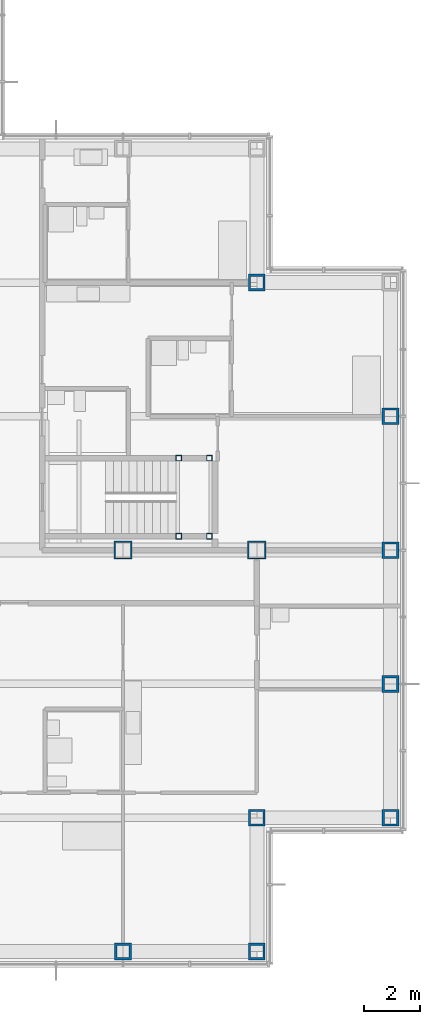
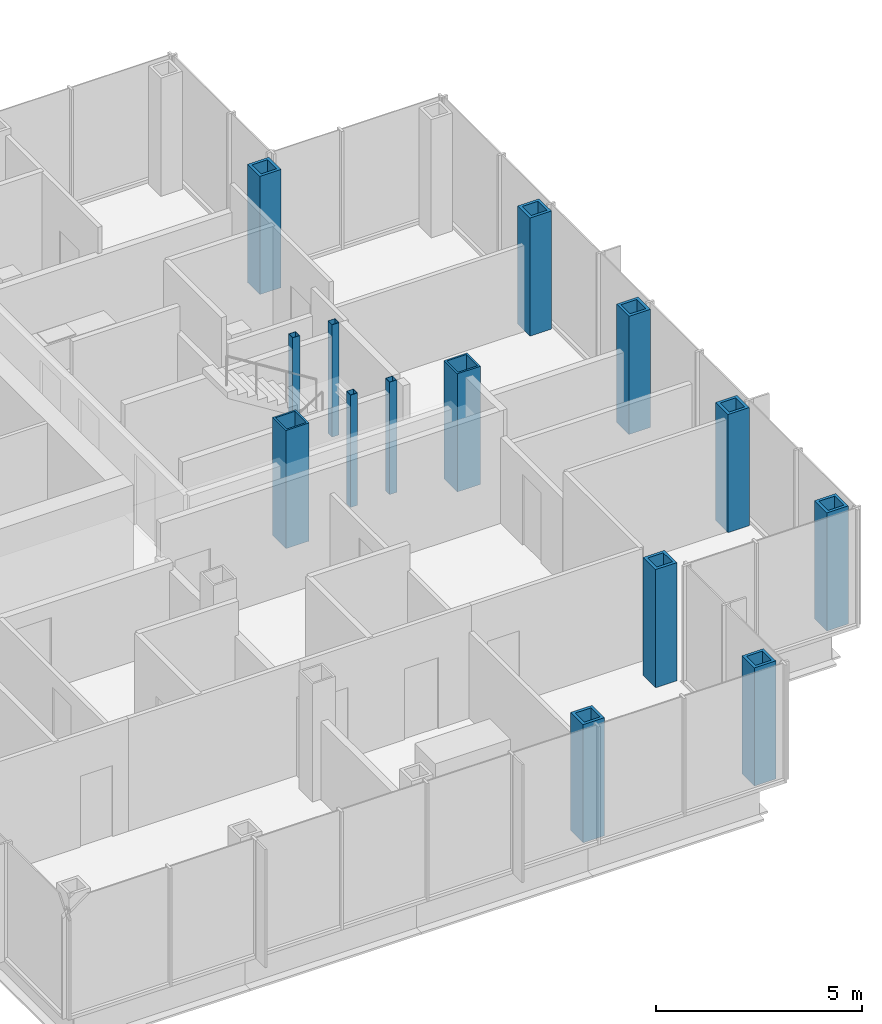
# One storey, part 4 of 19: 14 columns.
"""IFC4 building model written with IfcOpenShell, lengths in metres."""

from ifc_helpers import new_model, si_unit, direction, frame, origin, origin_2d, place, context, subcontext, project, spatial, hollow_rectangle, extrude, material, material_profile, profile_set, type_object, element, save


model = new_model("IFC4")

# Units and contexts
model_context = context("Model", 3, precision=1e-05, world=origin(), true_north=direction((0.0, 1.0)))
body_context = subcontext(model_context, "Body", "Model", "MODEL_VIEW")
ifc_project = project(units=[si_unit("LENGTHUNIT", "METRE"), si_unit("AREAUNIT", "SQUARE_METRE"), si_unit("VOLUMEUNIT", "CUBIC_METRE"), si_unit("PLANEANGLEUNIT", "RADIAN"), si_unit("MASSUNIT", "GRAM", prefix="KILO")], contexts=[model_context])

# Site, building, storey
site_placement = place(None, origin())
site = spatial("IfcSite", under=ifc_project, at=site_placement, CompositionType="ELEMENT")
building_placement = place(site_placement, origin())
building = spatial("IfcBuilding", under=site, at=building_placement, Name="Kvirike Care Tower", CompositionType="ELEMENT")
storey_placement = place(building_placement, frame((0.0, 0.0, 129.5)))
storey = spatial("IfcBuildingStorey", under=building, at=storey_placement, Name="L35", CompositionType="ELEMENT", Elevation=129.5)

# Columns
ifc_material_1 = material(Name="Steel S460", Category="steel")
ifc_material_profile_1 = material_profile(ifc_material_1, hollow_rectangle(XDim=0.60009765625, YDim=0.60009765625, WallThickness=0.080078125, at=origin_2d()), Name="BX 600x600x80")
ifc_profile_set_1 = profile_set([ifc_material_profile_1], Name="Steel S460")
column_type_1 = type_object("IfcColumnType", Name="COLUMN BX 600x600x80", PredefinedType="COLUMN", material=ifc_profile_set_1)
for number, where, z_axis, x_axis, name in (
    (1, (33.60009765625, 14.39990234375, 0.0), (0.0, 0.0, 1.0), (0.0, 1.0, 0.0), "Column D10 L35"),
    (2, (38.39990234375, 14.39990234375, 0.0), (0.0, 0.0, 1.0), (0.0, 1.0, 0.0), "Column D11 L35"),
    (3, (38.39990234375, 19.199951171875, 0.0), (0.0, 0.0, 1.0), (0.0, 1.0, 0.0), "Column E11 L35"),
    (4, (38.39990234375, 38.39990234375, 0.0), (0.0, 0.0, 1.0), (0.0, 1.0, 0.0), "Column J11 L35"),
    (5, (43.199951171875, 19.199951171875, 0.0), (0.0, 0.0, 1.0), (0.0, 1.0, 0.0), "Column E12 L35"),
    (6, (43.199951171875, 24.0, 0.0), (0.0, 0.0, 1.0), (1.0, 0.0, 0.0), "Column F12 L35"),
    (7, (43.199951171875, 28.800048828125, 0.0), (0.0, 0.0, 1.0), (0.0, 1.0, 0.0), "Column G12 L35"),
    (8, (43.199951171875, 33.60009765625, 0.0), (0.0, 0.0, 1.0), (1.0, 0.0, 0.0), "Column H12 L35"),
):
    element("IfcColumn", number, at=place(storey_placement, frame(where, z_axis=z_axis, x_axis=x_axis)), inside=storey, type_object=column_type_1, Name=name, PredefinedType="COLUMN", context=body_context, shape_type="SweptSolid", body=[
        extrude(hollow_rectangle(XDim=0.60009765625, YDim=0.60009765625, WallThickness=0.080078125, at=origin_2d()), origin(), (0.0, 0.0, 1.0), 3.5),
    ])
ifc_material_2 = material(Name="Steel S460", Category="steel")
ifc_material_profile_2 = material_profile(ifc_material_2, hollow_rectangle(XDim=0.64990234375, YDim=0.64990234375, WallThickness=0.050048828125, at=origin_2d()), Name="BX 650x650x50")
ifc_profile_set_2 = profile_set([ifc_material_profile_2], Name="Steel S460")
column_type_2 = type_object("IfcColumnType", Name="COLUMN BX 650x650x50", PredefinedType="COLUMN", material=ifc_profile_set_2)
for number, where, z_axis, x_axis, name in (
    (9, (33.60009765625, 28.800048828125, 0.0), (0.0, 0.0, 1.0), (0.0, 1.0, 0.0), "Column G10 L35"),
    (10, (38.39990234375, 28.800048828125, 0.0), (0.0, 0.0, 1.0), (0.0, 1.0, 0.0), "Column G11 L35"),
):
    element("IfcColumn", number, at=place(storey_placement, frame(where, z_axis=z_axis, x_axis=x_axis)), inside=storey, type_object=column_type_2, Name=name, PredefinedType="COLUMN", context=body_context, shape_type="SweptSolid", body=[
        extrude(hollow_rectangle(XDim=0.64990234375, YDim=0.64990234375, WallThickness=0.050048828125, at=origin_2d()), origin(), (0.0, 0.0, 1.0), 3.5),
    ])
ifc_material_3 = material(Name="Steel S460", Category="steel")
ifc_material_profile_3 = material_profile(ifc_material_3, hollow_rectangle(XDim=0.199951171875, YDim=0.199951171875, WallThickness=0.008056640625, at=origin_2d()), Name="SHS 200x200x8")
ifc_profile_set_3 = profile_set([ifc_material_profile_3], Name="Steel S460")
column_type_3 = type_object("IfcColumnType", Name="STAIR POST SHS 200x200x8", PredefinedType="COLUMN", material=ifc_profile_set_3)
for number, where, z_axis, x_axis, name in (
    (11, (36.699951171875, 29.300048828125, 0.0), (0.0, 0.0, 1.0), (1.0, 0.0, 0.0), "Stair 2 post 1 L35"),
    (12, (36.699951171875, 32.10009765625, 0.0), (0.0, 0.0, 1.0), (1.0, 0.0, 0.0), "Stair 2 post 2 L35"),
    (13, (35.60009765625, 29.300048828125, 0.0), (0.0, 0.0, 1.0), (1.0, 0.0, 0.0), "Stair 2 post 3 L35"),
    (14, (35.60009765625, 32.10009765625, 0.0), (0.0, 0.0, 1.0), (1.0, 0.0, 0.0), "Stair 2 post 4 L35"),
):
    element("IfcColumn", number, at=place(storey_placement, frame(where, z_axis=z_axis, x_axis=x_axis)), inside=storey, type_object=column_type_3, Name=name, PredefinedType="COLUMN", context=body_context, shape_type="SweptSolid", body=[
        extrude(hollow_rectangle(XDim=0.199951171875, YDim=0.199951171875, WallThickness=0.008056640625, at=origin_2d()), origin(), (0.0, 0.0, 1.0), 3.330078125),
    ])

save(model, "model.ifc")
